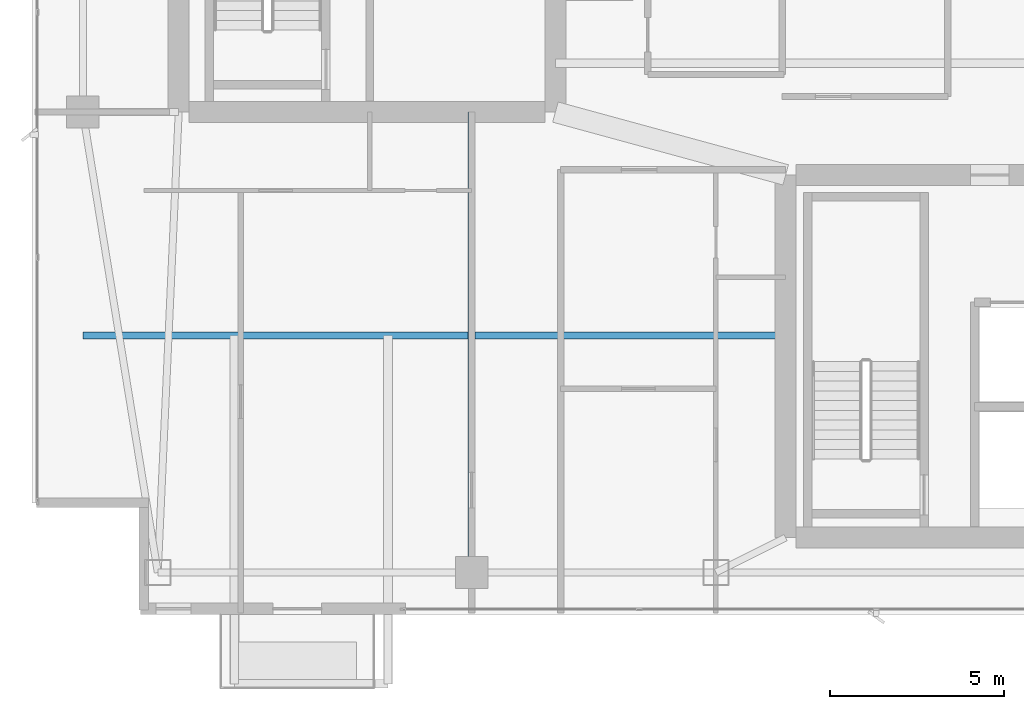
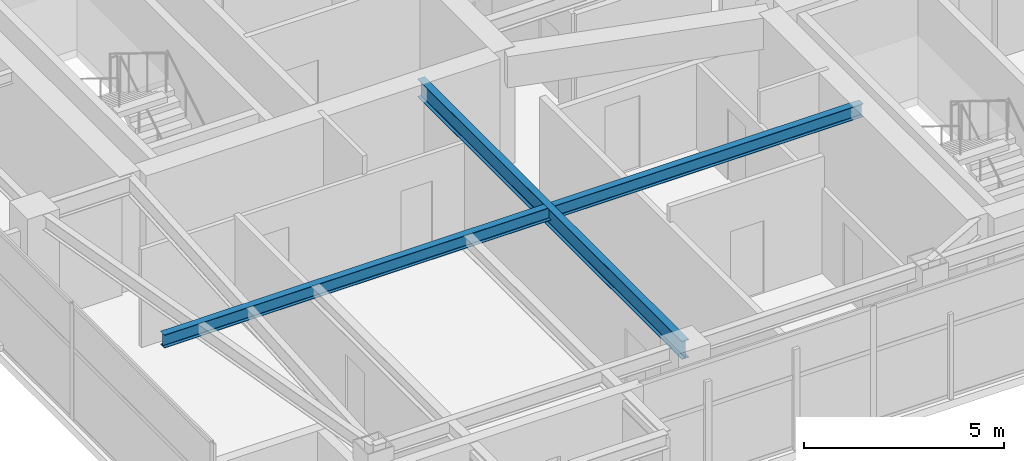
# One storey, part 6 of 27: 2 beams.
"""IFC4 building model written with IfcOpenShell, lengths in metres."""

import ifcopenshell
import ifcopenshell.guid

model = None  # the IFC model being written
_history = None  # IfcOwnerHistory: only IFC2X3 demands one
_inside = {}  # id of a spatial element -> (the spatial element, [elements in it])
_under = {}  # id of a project, library or spatial element -> (it, [spatial elements below it])
_declared = {}  # id of a project -> (the project, [libraries it declares])
_typed = {}  # id of a type object -> (the type object, [elements of that type])
_made_of = {}  # id of a material, layer set ... -> (it, [elements and type objects made of it])


def new_model(schema):
    """Start an empty IFC model of exactly this schema.

    Asked for "IFC4X3", IfcOpenShell would pick the latest addendum, in which some entities
    have other attributes; the version numbers below select the first issue.
    IFC2X3 requires an IfcOwnerHistory on every rooted entity: one is made here for all.
    """
    global model, _history
    if schema == "IFC4X3":
        model = ifcopenshell.file(schema_version=(4, 3, 0, 0))
    else:
        model = ifcopenshell.file(schema=schema)
    _inside.clear()
    _under.clear()
    _declared.clear()
    _typed.clear()
    _made_of.clear()
    _history = None
    if model.schema == "IFC2X3":
        org = make("IfcOrganization", Name="unknown")
        user = make(
            "IfcPersonAndOrganization",
            ThePerson=make("IfcPerson", FamilyName="unknown"),
            TheOrganization=org,
        )
        app = make(
            "IfcApplication",
            ApplicationDeveloper=org,
            Version="unknown",
            ApplicationFullName="unknown",
            ApplicationIdentifier="unknown",
        )
        _history = make(
            "IfcOwnerHistory",
            OwningUser=user,
            OwningApplication=app,
            ChangeAction="ADDED",
            CreationDate=0,
        )
    return model


def make(cls, **values):
    """One entity of the class cls with the attributes given. An attribute that is None is left unset."""
    return model.create_entity(
        cls, **{name: value for name, value in values.items() if value is not None}
    )


def rooted(cls, **values):
    """An entity with a GlobalId (a new one), such as an element, a storey or a relation."""
    return make(cls, GlobalId=ifcopenshell.guid.new(), OwnerHistory=_history, **values)


def si_unit(unit_type, name, prefix=None):
    """IfcSIUnit, for example si_unit("LENGTHUNIT", "METRE", prefix="MILLI")."""
    return make("IfcSIUnit", UnitType=unit_type, Prefix=prefix, Name=name)


def assignment(units):
    """IfcUnitAssignment: the units of a project."""
    return None if units is None else make("IfcUnitAssignment", Units=units)


def point(xyz):
    """IfcCartesianPoint."""
    return None if xyz is None else make("IfcCartesianPoint", Coordinates=xyz)


def direction(xyz):
    """IfcDirection."""
    return None if xyz is None else make("IfcDirection", DirectionRatios=xyz)


def frame(location, z_axis=None, x_axis=None):
    """IfcAxis2Placement3D, a coordinate frame: its origin and axes. An axis left out is left unset."""
    return make(
        "IfcAxis2Placement3D",
        Location=point(location),
        Axis=direction(z_axis),
        RefDirection=direction(x_axis),
    )


def frame_2d(location, x_axis=None):
    """IfcAxis2Placement2D, a coordinate frame in the plane: its origin and x axis."""
    return make(
        "IfcAxis2Placement2D", Location=point(location), RefDirection=direction(x_axis)
    )


def origin():
    """The frame at (0, 0, 0) with its axes left unset."""
    return frame((0.0, 0.0, 0.0))


def origin_2d():
    """The frame at (0, 0) in the plane with its x axis left unset."""
    return frame_2d((0.0, 0.0))


def place(relative_to, where):
    """IfcLocalPlacement: puts the frame where relative to a parent placement (None: the world)."""
    return make(
        "IfcLocalPlacement", PlacementRelTo=relative_to, RelativePlacement=where
    )


def context(
    kind, dimensions, precision=None, world=None, true_north=None, identifier=None
):
    """IfcGeometricRepresentationContext, for example the 3D "Model" context."""
    return make(
        "IfcGeometricRepresentationContext",
        ContextIdentifier=identifier,
        ContextType=kind,
        CoordinateSpaceDimension=dimensions,
        Precision=precision,
        WorldCoordinateSystem=world,
        TrueNorth=true_north,
    )


def subcontext(parent, identifier, kind, view, scale=None):
    """IfcGeometricRepresentationSubContext, for example "Body" below "Model"."""
    return make(
        "IfcGeometricRepresentationSubContext",
        ContextIdentifier=identifier,
        ContextType=kind,
        ParentContext=parent,
        TargetScale=scale,
        TargetView=view,
    )


def project(units=None, contexts=None):
    """IfcProject with its units and contexts."""
    return rooted(
        "IfcProject",
        Name="project",
        RepresentationContexts=contexts,
        UnitsInContext=assignment(units),
    )


def spatial(cls, under=None, at=None, **own):
    """A site, building, storey or space (cls), placed at a placement, below another one or the project."""
    s = rooted(cls, ObjectPlacement=at, **own)
    if under is not None:
        _under.setdefault(under.id(), (under, []))[1].append(s)
    return s


def profile(cls, at=None, kind="AREA", **sizes):
    """A parametric profile (cls). Its sizes go by their IFC names, for example OverallWidth=200.0."""
    return make(cls, ProfileType=kind, Position=at, **sizes)


def i_section(**sizes):
    """IfcIShapeProfileDef."""
    return profile("IfcIShapeProfileDef", **sizes)


def extrude(swept, where, along, depth):
    """IfcExtrudedAreaSolid: the profile swept, set in the frame where, extruded along a direction by depth."""
    return make(
        "IfcExtrudedAreaSolid",
        SweptArea=swept,
        Position=where,
        ExtrudedDirection=direction(along),
        Depth=depth,
    )


def shape(context_of_items, identifier, shape_type, items):
    """IfcShapeRepresentation: the items that make up one representation, for example the "Body"."""
    return make(
        "IfcShapeRepresentation",
        ContextOfItems=context_of_items,
        RepresentationIdentifier=identifier,
        RepresentationType=shape_type,
        Items=items,
    )


def material(Name=None, Category=None):
    """IfcMaterial."""
    return make("IfcMaterial", Name=Name, Category=Category)


def material_profile(
    of_material, cross_section, Name=None, Category=None, Priority=None
):
    """IfcMaterialProfile: a cross section and its material."""
    return make(
        "IfcMaterialProfile",
        Name=Name,
        Material=of_material,
        Profile=cross_section,
        Priority=Priority,
        Category=Category,
    )


def profile_set(profiles, Name=None, composite=None):
    """IfcMaterialProfileSet."""
    return make(
        "IfcMaterialProfileSet",
        Name=Name,
        MaterialProfiles=profiles,
        CompositeProfile=composite,
    )


def made_of(thing, what):
    """Note that an element or type object is made of a material, layer set ...; save() writes the relation."""
    if what is not None:
        _made_of.setdefault(what.id(), (what, []))[1].append(thing)
    return thing


def type_object(cls, material=None, **own):
    """A type object (cls), such as IfcWallType, which elements share."""
    return made_of(rooted(cls, **own), material)


def element(
    cls,
    number,
    at=None,
    inside=None,
    cuts=None,
    type_object=None,
    material=None,
    context=None,
    identifier="Body",
    shape_type=None,
    held_by="IfcProductDefinitionShape",
    body=None,
    shapes=None,
    **own,
):
    """One element of the class cls, such as IfcWall. Its Tag is "e" and its number.

    at: its placement. inside: the storey or other place that contains it. cuts: it is an
    opening in that element (IfcRelVoidsElement). A single representation is given by context,
    identifier, shape_type and body (its items); several are given by shapes. held_by: the class
    of the entity that holds the representations. save() writes the other relations.
    """
    e = rooted(cls, Tag="e%d" % number, ObjectPlacement=at, **own)
    if body is not None:
        shapes = [shape(context, identifier, shape_type, body)]
    if shapes is not None:
        e.Representation = make(held_by, Representations=shapes)
    if inside is not None:
        _inside.setdefault(inside.id(), (inside, []))[1].append(e)
    if cuts is not None:
        rooted(
            "IfcRelVoidsElement", RelatingBuildingElement=cuts, RelatedOpeningElement=e
        )
    if type_object is not None:
        _typed.setdefault(type_object.id(), (type_object, []))[1].append(e)
    return made_of(e, material)


def aggregate(whole, parts):
    """IfcRelAggregates: a whole, such as a stair, and the parts it consists of."""
    return rooted("IfcRelAggregates", RelatingObject=whole, RelatedObjects=parts)


def save(model, path):
    """Write the relations noted so far, then the file.

    IfcRelAggregates (storeys below a building ...), IfcRelContainedInSpatialStructure (elements
    in a storey), IfcRelDefinesByType, IfcRelAssociatesMaterial and IfcRelDeclares: one each for
    every whole, place, type object, material and project.
    """
    for whole, parts in _under.values():
        aggregate(whole, parts)
    for where, things in _inside.values():
        rooted(
            "IfcRelContainedInSpatialStructure",
            RelatedElements=things,
            RelatingStructure=where,
        )
    for kind, things in _typed.values():
        rooted("IfcRelDefinesByType", RelatedObjects=things, RelatingType=kind)
    for what, things in _made_of.values():
        rooted("IfcRelAssociatesMaterial", RelatedObjects=things, RelatingMaterial=what)
    for by, libraries in _declared.values():
        rooted("IfcRelDeclares", RelatingContext=by, RelatedDefinitions=libraries)
    model.write(path)


model = new_model("IFC4")

# Units and contexts
model_context = context("Model", 3, precision=1e-05, world=origin(), true_north=direction((0.0, 1.0)))
body_context = subcontext(model_context, "Body", "Model", "MODEL_VIEW")
ifc_project = project(units=[si_unit("LENGTHUNIT", "METRE"), si_unit("AREAUNIT", "SQUARE_METRE"), si_unit("VOLUMEUNIT", "CUBIC_METRE"), si_unit("PLANEANGLEUNIT", "RADIAN"), si_unit("MASSUNIT", "GRAM", prefix="KILO")], contexts=[model_context])

# Site, building, storey
site_placement = place(None, origin())
site = spatial("IfcSite", under=ifc_project, at=site_placement, CompositionType="ELEMENT")
building_placement = place(site_placement, origin())
building = spatial("IfcBuilding", under=site, at=building_placement, Name="Calvorn Quay Hotel", CompositionType="ELEMENT")
storey_placement = place(building_placement, frame((0.0, 0.0, 291.10009765625)))
storey = spatial("IfcBuildingStorey", under=building, at=storey_placement, Name="L72", CompositionType="ELEMENT", Elevation=291.10009765625)

# Beams
ifc_material_1 = material(Name="Steel Q355B", Category="steel")
ifc_material_profile_1 = material_profile(ifc_material_1, i_section(OverallWidth=0.199951171875, OverallDepth=0.550048828125, WebThickness=0.010009765625, FlangeThickness=0.01611328125, FilletRadius=0.01806640625, at=origin_2d()), Name="HN550x200x10x16")
ifc_profile_set_1 = profile_set([ifc_material_profile_1], Name="Steel Q355B")
beam_type_1 = type_object("IfcBeamType", Name="BM-GIRD-UPP", PredefinedType="BEAM", material=ifc_profile_set_1)
beam_1_placement = place(storey_placement, frame((12.60009765625, 3.60009765625, 3.264892578125), z_axis=(0.0, 1.0, 0.0), x_axis=(-1.0, 0.0, 0.0)))
element("IfcBeam", 1, at=beam_1_placement, inside=storey, type_object=beam_type_1, Name="Beam BG-L72-S1", PredefinedType="BEAM", context=body_context, shape_type="SweptSolid", body=[
    extrude(i_section(OverallWidth=0.199951171875, OverallDepth=0.550048828125, WebThickness=0.010009765625, FlangeThickness=0.01611328125, FilletRadius=0.01806640625, at=origin_2d()), origin(), (0.0, 0.0, 1.0), 13.199951171875),
])
ifc_material_2 = material(Name="Steel Q355B", Category="steel")
ifc_material_profile_2 = material_profile(ifc_material_2, i_section(OverallWidth=0.199951171875, OverallDepth=0.39990234375, WebThickness=0.008056640625, FlangeThickness=0.012939453125, FilletRadius=0.01611328125, at=origin_2d()), Name="HN400x200x8x13")
ifc_profile_set_2 = profile_set([ifc_material_profile_2], Name="Steel Q355B")
beam_type_2 = type_object("IfcBeamType", Name="BM-JOIST-TYP", PredefinedType="JOIST", material=ifc_profile_set_2)
beam_2_placement = place(storey_placement, frame((1.449951171875, 10.39990234375, 3.33984375), z_axis=(1.0, 0.0, 0.0), x_axis=(0.0, 1.0, 0.0)))
element("IfcBeam", 2, at=beam_2_placement, inside=storey, type_object=beam_type_2, Name="Beam BJ-L72-W1", PredefinedType="JOIST", context=body_context, shape_type="SweptSolid", body=[
    extrude(i_section(OverallWidth=0.199951171875, OverallDepth=0.39990234375, WebThickness=0.008056640625, FlangeThickness=0.012939453125, FilletRadius=0.01611328125, at=origin_2d()), origin(), (0.0, 0.0, 1.0), 20.150146484375),
])

save(model, "model.ifc")
